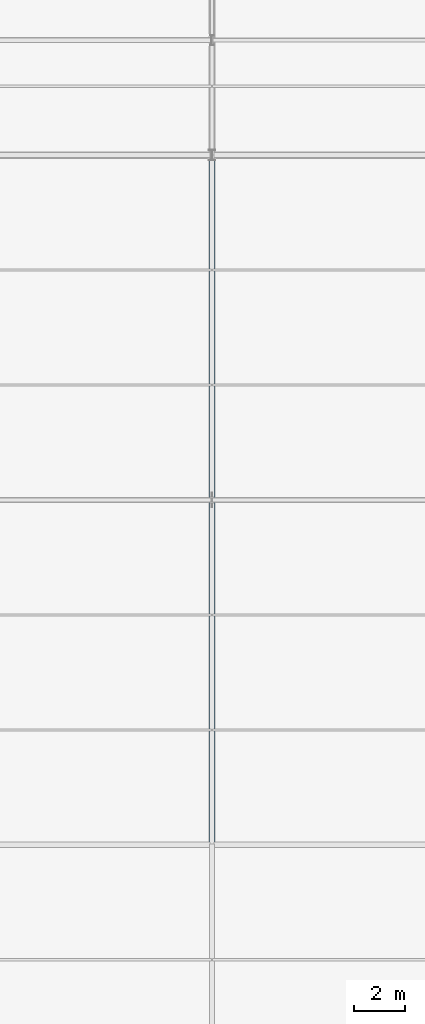
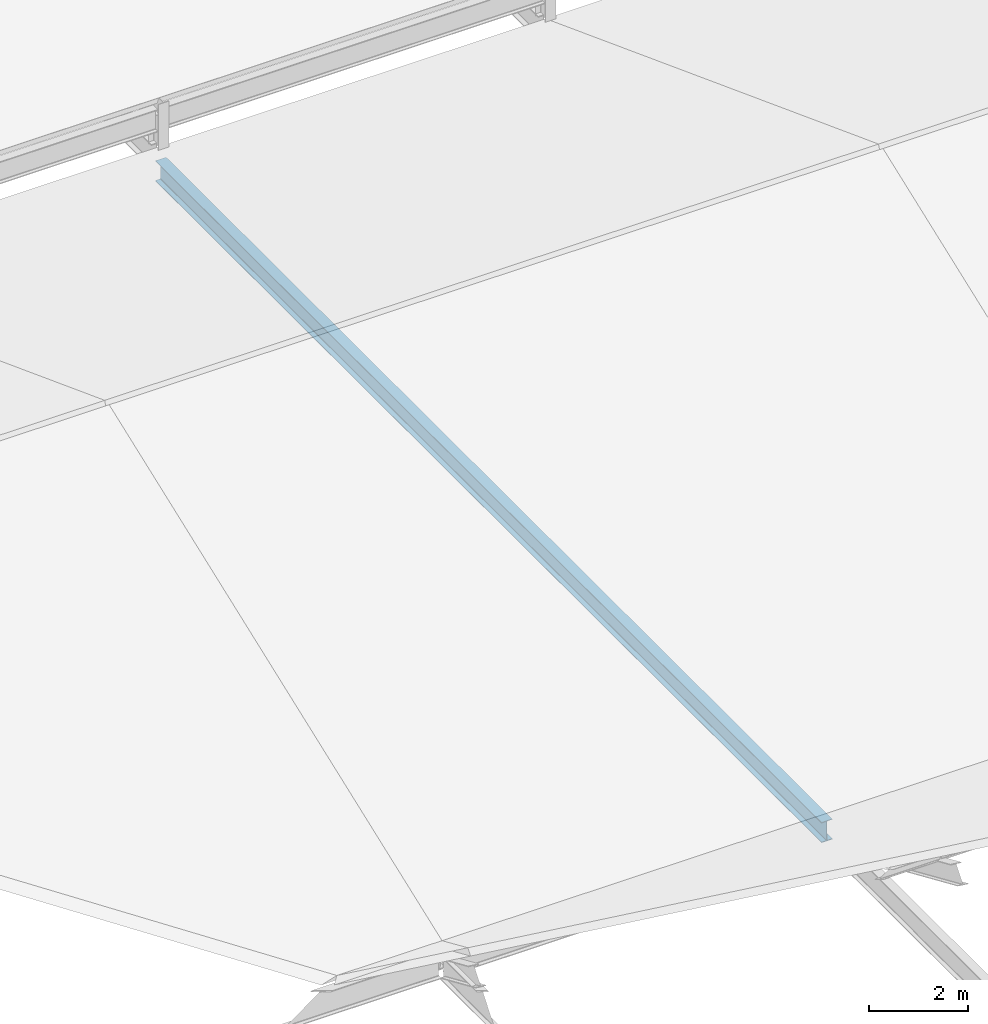
# One storey, part 38 of 163: 1 beam.
"""IFC4 building model written with IfcOpenShell, lengths in metres."""

from ifc_helpers import new_model, si_unit, direction, frame, origin, origin_2d, place, context, subcontext, project, spatial, i_section, extrude, material, material_profile, profile_set, type_object, element, save


model = new_model("IFC4")

# Units and contexts
model_context = context("Model", 3, precision=1e-05, world=origin(), true_north=direction((0.0, 1.0)))
body_context = subcontext(model_context, "Body", "Model", "MODEL_VIEW")
ifc_project = project(units=[si_unit("LENGTHUNIT", "METRE"), si_unit("AREAUNIT", "SQUARE_METRE"), si_unit("VOLUMEUNIT", "CUBIC_METRE"), si_unit("PLANEANGLEUNIT", "RADIAN"), si_unit("MASSUNIT", "GRAM", prefix="KILO")], contexts=[model_context])

# Site, building, storey
site_placement = place(None, origin())
site = spatial("IfcSite", under=ifc_project, at=site_placement, CompositionType="ELEMENT")
building_placement = place(site_placement, origin())
building = spatial("IfcBuilding", under=site, at=building_placement, Name="Tharagai Park Tramway Depot", CompositionType="ELEMENT")
storey_placement = place(building_placement, frame((0.0, 0.0, 8.39990234375)))
storey = spatial("IfcBuildingStorey", under=building, at=storey_placement, Name="L02", CompositionType="ELEMENT", Elevation=8.39990234375)

# Beam
ifc_material = material(Name="Steel E350", Category="steel")
ifc_material_profile = material_profile(ifc_material, i_section(OverallWidth=0.25, OverallDepth=0.5, WebThickness=0.010009765625, FlangeThickness=0.0146484375, FilletRadius=0.014892578125, at=origin_2d()), Name="ISWB 500")
ifc_profile_set = profile_set([ifc_material_profile], Name="Steel E350")
beam_type = type_object("IfcBeamType", Name="BM-08", PredefinedType="BEAM", material=ifc_profile_set)
beam_placement = place(storey_placement, frame((45.0, 63.080078125, -0.5), z_axis=(0.0, 1.0, 0.0), x_axis=(-1.0, 0.0, 0.0)))
element("IfcBeam", 1, at=beam_placement, inside=storey, type_object=beam_type, Name="V2B Gable Tie Girder BM-08", PredefinedType="BEAM", context=body_context, shape_type="SweptSolid", body=[
    extrude(i_section(OverallWidth=0.25, OverallDepth=0.5, WebThickness=0.010009765625, FlangeThickness=0.0146484375, FilletRadius=0.014892578125, at=origin_2d()), origin(), (0.0, 0.0, 1.0), 26.83984375),
])

save(model, "model.ifc")
